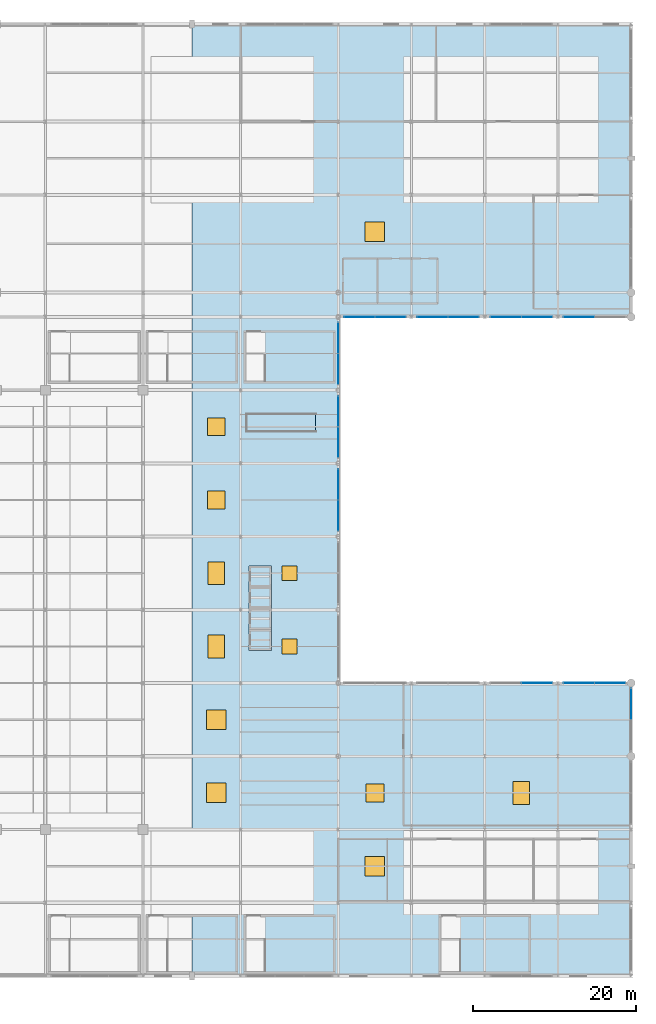
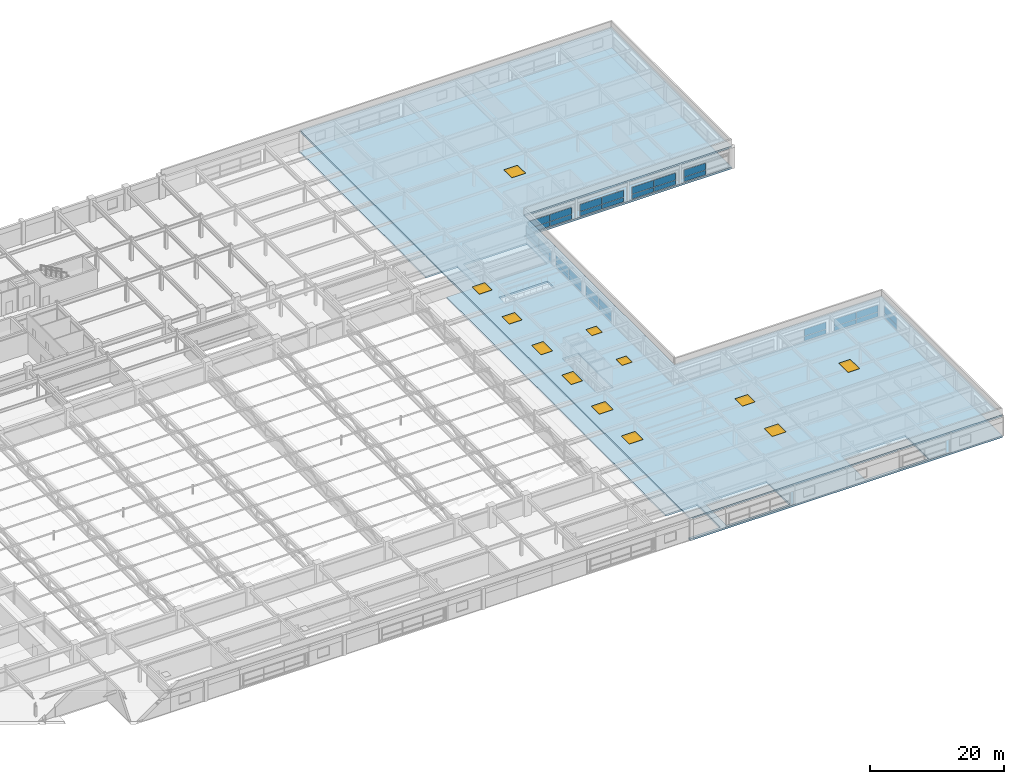
# One storey, part 87 of 108: 34 plates, 12 windows, 2 slabs, 12 openings, 10 elements without a shape of their own.
"""IFC4 building model written with IfcOpenShell, lengths in metres."""

from ifc_helpers import new_model, si_unit, direction, frame, origin, origin_2d, place, context, subcontext, project, spatial, polyline, rectangle, outline, extrude, material, layer, layer_set, type_object, element, fill, aggregate, save


model = new_model("IFC4")

# Units and contexts
model_context = context("Model", 3, precision=1e-05, world=origin(), true_north=direction((0.0, 1.0)))
body_context = subcontext(model_context, "Body", "Model", "MODEL_VIEW")
ifc_project = project(units=[si_unit("LENGTHUNIT", "METRE"), si_unit("AREAUNIT", "SQUARE_METRE"), si_unit("VOLUMEUNIT", "CUBIC_METRE"), si_unit("PLANEANGLEUNIT", "RADIAN"), si_unit("MASSUNIT", "GRAM", prefix="KILO")], contexts=[model_context])

# Site, building, storey
site_placement = place(None, origin())
site = spatial("IfcSite", under=ifc_project, at=site_placement, CompositionType="ELEMENT")
building_placement = place(site_placement, origin())
building = spatial("IfcBuilding", under=site, at=building_placement, Name="Kaldorvane Square Convention Centre", CompositionType="ELEMENT")
storey_placement = place(building_placement, frame((0.0, 0.0, 23.399993896484375)))
storey = spatial("IfcBuildingStorey", under=building, at=storey_placement, Name="L04", CompositionType="ELEMENT", Elevation=23.399993896484375)

# Curtain wall, plates
ifc_material_1 = material(Name="Anodized Aluminum and Low-E Insulated Glazing", Category="aluminium")
curtain_wall_type_1 = type_object("IfcCurtainWallType", Name="CW-UNI-P42-09", PredefinedType="USERDEFINED", material=ifc_material_1)
curtain_wall_1_placement = place(storey_placement, origin())
curtain_wall_1 = element("IfcCurtainWall", 1, at=curtain_wall_1_placement, inside=storey, type_object=curtain_wall_type_1, Name="Curtain Wall CW-06 (L04)", ObjectType="UNITISED GLAZING", PredefinedType="USERDEFINED")
ifc_layer_1 = layer(ifc_material_1, 0.029998779296875)
ifc_layer_set_1 = layer_set([ifc_layer_1], Name="Anodized Aluminum and Low-E Insulated Glazing")
plate_type_1 = type_object("IfcPlateType", Name="CW-PNL-05", PredefinedType="CURTAIN_PANEL", material=ifc_layer_set_1)
plate_1_placement = place(storey_placement, frame((174.0, 33.40875244140625, 0.2100067138671875), z_axis=(0.0, 0.0, 1.0), x_axis=(0.0, 1.0, 0.0)))
plate_1 = element("IfcPlate", 2, at=plate_1_placement, type_object=plate_type_1, Name="CW-06 panel 2.1", PredefinedType="CURTAIN_PANEL", context=body_context, shape_type="SweptSolid", body=[
    extrude(rectangle(XDim=3.75250244140625, YDim=0.029998779296875, at=origin_2d()), origin(), (0.0, 0.0, 1.0), 0.80999755859375),
])
plate_2_placement = place(storey_placement, frame((174.0, 33.40875244140625, 1.08001708984375), z_axis=(0.0, 0.0, 1.0), x_axis=(0.0, 1.0, 0.0)))
plate_2 = element("IfcPlate", 3, at=plate_2_placement, type_object=plate_type_1, Name="CW-06 panel 2.2", PredefinedType="CURTAIN_PANEL", context=body_context, shape_type="SweptSolid", body=[
    extrude(rectangle(XDim=3.75250244140625, YDim=0.029998779296875, at=origin_2d()), origin(), (0.0, 0.0, 1.0), 1.2700042724609375),
])
aggregate(curtain_wall_1, [plate_1, plate_2])

curtain_wall_type_2 = type_object("IfcCurtainWallType", Name="CW-PTS-FC-42", PredefinedType="USERDEFINED", material=ifc_material_1)
curtain_wall_2_placement = place(storey_placement, origin())
curtain_wall_2 = element("IfcCurtainWall", 4, at=curtain_wall_2_placement, inside=storey, type_object=curtain_wall_type_2, Name="Curtain Wall CW-09 (L04)", ObjectType="POINT SUPPORTED GLAZING", PredefinedType="USERDEFINED")
ifc_layer_2 = layer(ifc_material_1, 0.0399932861328125)
ifc_layer_set_2 = layer_set([ifc_layer_2], Name="Anodized Aluminum and Low-E Insulated Glazing")
plate_type_2 = type_object("IfcPlateType", Name="CW-PNL-07", PredefinedType="CURTAIN_PANEL", material=ifc_layer_set_2)
plate_3_placement = place(storey_placement, frame((162.40625, 36.0, 0.214996337890625), z_axis=(0.0, 0.0, 1.0), x_axis=(-1.0, 0.0, 0.0)))
plate_3 = element("IfcPlate", 5, at=plate_3_placement, type_object=plate_type_2, Name="CW-09 panel 1.1", PredefinedType="CURTAIN_PANEL", context=body_context, shape_type="SweptSolid", body=[
    extrude(rectangle(XDim=3.7375030517578125, YDim=0.0399932861328125, at=origin_2d()), origin(), (0.0, 0.0, 1.0), 0.8025054931640625),
])
plate_4_placement = place(storey_placement, frame((162.40625, 36.0, 1.08251953125), z_axis=(0.0, 0.0, 1.0), x_axis=(-1.0, 0.0, 0.0)))
plate_4 = element("IfcPlate", 6, at=plate_4_placement, type_object=plate_type_2, Name="CW-09 panel 1.2", PredefinedType="CURTAIN_PANEL", context=body_context, shape_type="SweptSolid", body=[
    extrude(rectangle(XDim=3.7375030517578125, YDim=0.0399932861328125, at=origin_2d()), origin(), (0.0, 0.0, 1.0), 1.2624969482421875),
])
aggregate(curtain_wall_2, [plate_3, plate_4])

curtain_wall_3_placement = place(storey_placement, origin())
curtain_wall_3 = element("IfcCurtainWall", 7, at=curtain_wall_3_placement, inside=storey, type_object=curtain_wall_type_2, Name="Curtain Wall CW-09 (L04)", ObjectType="POINT SUPPORTED GLAZING", PredefinedType="USERDEFINED")
plate_5_placement = place(storey_placement, frame((171.40625, 36.0, 0.214996337890625), z_axis=(0.0, 0.0, 1.0), x_axis=(-1.0, 0.0, 0.0)))
plate_5 = element("IfcPlate", 8, at=plate_5_placement, type_object=plate_type_2, Name="CW-09 panel 1.1", PredefinedType="CURTAIN_PANEL", context=body_context, shape_type="SweptSolid", body=[
    extrude(rectangle(XDim=3.7375030517578125, YDim=0.0399932861328125, at=origin_2d()), origin(), (0.0, 0.0, 1.0), 0.8025054931640625),
])
plate_6_placement = place(storey_placement, frame((171.40625, 36.0, 1.08251953125), z_axis=(0.0, 0.0, 1.0), x_axis=(-1.0, 0.0, 0.0)))
plate_6 = element("IfcPlate", 9, at=plate_6_placement, type_object=plate_type_2, Name="CW-09 panel 1.2", PredefinedType="CURTAIN_PANEL", context=body_context, shape_type="SweptSolid", body=[
    extrude(rectangle(XDim=3.7375030517578125, YDim=0.0399932861328125, at=origin_2d()), origin(), (0.0, 0.0, 1.0), 1.2624969482421875),
])
plate_7_placement = place(storey_placement, frame((167.59375, 36.0, 0.214996337890625), z_axis=(0.0, 0.0, 1.0), x_axis=(-1.0, 0.0, 0.0)))
plate_7 = element("IfcPlate", 10, at=plate_7_placement, type_object=plate_type_2, Name="CW-09 panel 2.1", PredefinedType="CURTAIN_PANEL", context=body_context, shape_type="SweptSolid", body=[
    extrude(rectangle(XDim=3.7375030517578125, YDim=0.0399932861328125, at=origin_2d()), origin(), (0.0, 0.0, 1.0), 0.8025054931640625),
])
plate_8_placement = place(storey_placement, frame((167.59375, 36.0, 1.08251953125), z_axis=(0.0, 0.0, 1.0), x_axis=(-1.0, 0.0, 0.0)))
plate_8 = element("IfcPlate", 11, at=plate_8_placement, type_object=plate_type_2, Name="CW-09 panel 2.2", PredefinedType="CURTAIN_PANEL", context=body_context, shape_type="SweptSolid", body=[
    extrude(rectangle(XDim=3.7375030517578125, YDim=0.0399932861328125, at=origin_2d()), origin(), (0.0, 0.0, 1.0), 1.2624969482421875),
])
aggregate(curtain_wall_3, [plate_5, plate_6, plate_7, plate_8])

curtain_wall_4_placement = place(storey_placement, origin())
curtain_wall_4 = element("IfcCurtainWall", 12, at=curtain_wall_4_placement, inside=storey, type_object=curtain_wall_type_2, Name="Curtain Wall CW-09 (L04)", ObjectType="POINT SUPPORTED GLAZING", PredefinedType="USERDEFINED")
plate_9_placement = place(storey_placement, frame((138.0, 56.59375, 0.214996337890625), z_axis=(0.0, 0.0, 1.0), x_axis=(0.0, 1.0, 0.0)))
plate_9 = element("IfcPlate", 13, at=plate_9_placement, type_object=plate_type_2, Name="CW-09 panel 1.1", PredefinedType="CURTAIN_PANEL", context=body_context, shape_type="SweptSolid", body=[
    extrude(rectangle(XDim=3.7375030517578125, YDim=0.0399932861328125, at=origin_2d()), origin(), (0.0, 0.0, 1.0), 0.8025054931640625),
])
plate_10_placement = place(storey_placement, frame((138.0, 56.59375, 1.08251953125), z_axis=(0.0, 0.0, 1.0), x_axis=(0.0, 1.0, 0.0)))
plate_10 = element("IfcPlate", 14, at=plate_10_placement, type_object=plate_type_2, Name="CW-09 panel 1.2", PredefinedType="CURTAIN_PANEL", context=body_context, shape_type="SweptSolid", body=[
    extrude(rectangle(XDim=3.7375030517578125, YDim=0.0399932861328125, at=origin_2d()), origin(), (0.0, 0.0, 1.0), 1.2624969482421875),
])
plate_11_placement = place(storey_placement, frame((138.0, 60.40625, 0.214996337890625), z_axis=(0.0, 0.0, 1.0), x_axis=(0.0, 1.0, 0.0)))
plate_11 = element("IfcPlate", 15, at=plate_11_placement, type_object=plate_type_2, Name="CW-09 panel 2.1", PredefinedType="CURTAIN_PANEL", context=body_context, shape_type="SweptSolid", body=[
    extrude(rectangle(XDim=3.7375030517578125, YDim=0.0399932861328125, at=origin_2d()), origin(), (0.0, 0.0, 1.0), 0.8025054931640625),
])
plate_12_placement = place(storey_placement, frame((138.0, 60.40625, 1.08251953125), z_axis=(0.0, 0.0, 1.0), x_axis=(0.0, 1.0, 0.0)))
plate_12 = element("IfcPlate", 16, at=plate_12_placement, type_object=plate_type_2, Name="CW-09 panel 2.2", PredefinedType="CURTAIN_PANEL", context=body_context, shape_type="SweptSolid", body=[
    extrude(rectangle(XDim=3.7375030517578125, YDim=0.0399932861328125, at=origin_2d()), origin(), (0.0, 0.0, 1.0), 1.2624969482421875),
])
aggregate(curtain_wall_4, [plate_9, plate_10, plate_11, plate_12])

curtain_wall_5_placement = place(storey_placement, origin())
curtain_wall_5 = element("IfcCurtainWall", 17, at=curtain_wall_5_placement, inside=storey, type_object=curtain_wall_type_2, Name="Curtain Wall CW-09 (L04)", ObjectType="POINT SUPPORTED GLAZING", PredefinedType="USERDEFINED")
plate_13_placement = place(storey_placement, frame((138.0, 65.59375, 0.214996337890625), z_axis=(0.0, 0.0, 1.0), x_axis=(0.0, 1.0, 0.0)))
plate_13 = element("IfcPlate", 18, at=plate_13_placement, type_object=plate_type_2, Name="CW-09 panel 1.1", PredefinedType="CURTAIN_PANEL", context=body_context, shape_type="SweptSolid", body=[
    extrude(rectangle(XDim=3.7375030517578125, YDim=0.0399932861328125, at=origin_2d()), origin(), (0.0, 0.0, 1.0), 0.8025054931640625),
])
plate_14_placement = place(storey_placement, frame((138.0, 65.59375, 1.08251953125), z_axis=(0.0, 0.0, 1.0), x_axis=(0.0, 1.0, 0.0)))
plate_14 = element("IfcPlate", 19, at=plate_14_placement, type_object=plate_type_2, Name="CW-09 panel 1.2", PredefinedType="CURTAIN_PANEL", context=body_context, shape_type="SweptSolid", body=[
    extrude(rectangle(XDim=3.7375030517578125, YDim=0.0399932861328125, at=origin_2d()), origin(), (0.0, 0.0, 1.0), 1.2624969482421875),
])
plate_15_placement = place(storey_placement, frame((138.0, 69.40625, 0.214996337890625), z_axis=(0.0, 0.0, 1.0), x_axis=(0.0, 1.0, 0.0)))
plate_15 = element("IfcPlate", 20, at=plate_15_placement, type_object=plate_type_2, Name="CW-09 panel 2.1", PredefinedType="CURTAIN_PANEL", context=body_context, shape_type="SweptSolid", body=[
    extrude(rectangle(XDim=3.7375030517578125, YDim=0.0399932861328125, at=origin_2d()), origin(), (0.0, 0.0, 1.0), 0.8025054931640625),
])
plate_16_placement = place(storey_placement, frame((138.0, 69.40625, 1.08251953125), z_axis=(0.0, 0.0, 1.0), x_axis=(0.0, 1.0, 0.0)))
plate_16 = element("IfcPlate", 21, at=plate_16_placement, type_object=plate_type_2, Name="CW-09 panel 2.2", PredefinedType="CURTAIN_PANEL", context=body_context, shape_type="SweptSolid", body=[
    extrude(rectangle(XDim=3.7375030517578125, YDim=0.0399932861328125, at=origin_2d()), origin(), (0.0, 0.0, 1.0), 1.2624969482421875),
])
aggregate(curtain_wall_5, [plate_13, plate_14, plate_15, plate_16])

curtain_wall_6_placement = place(storey_placement, origin())
curtain_wall_6 = element("IfcCurtainWall", 22, at=curtain_wall_6_placement, inside=storey, type_object=curtain_wall_type_2, Name="Curtain Wall CW-09 (L04)", ObjectType="POINT SUPPORTED GLAZING", PredefinedType="USERDEFINED")
plate_17_placement = place(storey_placement, frame((138.0, 74.59375, 0.214996337890625), z_axis=(0.0, 0.0, 1.0), x_axis=(0.0, 1.0, 0.0)))
plate_17 = element("IfcPlate", 23, at=plate_17_placement, type_object=plate_type_2, Name="CW-09 panel 1.1", PredefinedType="CURTAIN_PANEL", context=body_context, shape_type="SweptSolid", body=[
    extrude(rectangle(XDim=3.7375030517578125, YDim=0.0399932861328125, at=origin_2d()), origin(), (0.0, 0.0, 1.0), 0.8025054931640625),
])
plate_18_placement = place(storey_placement, frame((138.0, 74.59375, 1.08251953125), z_axis=(0.0, 0.0, 1.0), x_axis=(0.0, 1.0, 0.0)))
plate_18 = element("IfcPlate", 24, at=plate_18_placement, type_object=plate_type_2, Name="CW-09 panel 1.2", PredefinedType="CURTAIN_PANEL", context=body_context, shape_type="SweptSolid", body=[
    extrude(rectangle(XDim=3.7375030517578125, YDim=0.0399932861328125, at=origin_2d()), origin(), (0.0, 0.0, 1.0), 1.2624969482421875),
])
plate_19_placement = place(storey_placement, frame((138.0, 78.40625, 0.214996337890625), z_axis=(0.0, 0.0, 1.0), x_axis=(0.0, 1.0, 0.0)))
plate_19 = element("IfcPlate", 25, at=plate_19_placement, type_object=plate_type_2, Name="CW-09 panel 2.1", PredefinedType="CURTAIN_PANEL", context=body_context, shape_type="SweptSolid", body=[
    extrude(rectangle(XDim=3.7375030517578125, YDim=0.0399932861328125, at=origin_2d()), origin(), (0.0, 0.0, 1.0), 0.8025054931640625),
])
plate_20_placement = place(storey_placement, frame((138.0, 78.40625, 1.08251953125), z_axis=(0.0, 0.0, 1.0), x_axis=(0.0, 1.0, 0.0)))
plate_20 = element("IfcPlate", 26, at=plate_20_placement, type_object=plate_type_2, Name="CW-09 panel 2.2", PredefinedType="CURTAIN_PANEL", context=body_context, shape_type="SweptSolid", body=[
    extrude(rectangle(XDim=3.7375030517578125, YDim=0.0399932861328125, at=origin_2d()), origin(), (0.0, 0.0, 1.0), 1.2624969482421875),
])
aggregate(curtain_wall_6, [plate_17, plate_18, plate_19, plate_20])

curtain_wall_7_placement = place(storey_placement, origin())
curtain_wall_7 = element("IfcCurtainWall", 27, at=curtain_wall_7_placement, inside=storey, type_object=curtain_wall_type_2, Name="Curtain Wall CW-09 (L04)", ObjectType="POINT SUPPORTED GLAZING", PredefinedType="USERDEFINED")
plate_21_placement = place(storey_placement, frame((140.59375, 81.0, 0.214996337890625), z_axis=(0.0, 0.0, 1.0), x_axis=(1.0, 0.0, 0.0)))
plate_21 = element("IfcPlate", 28, at=plate_21_placement, type_object=plate_type_2, Name="CW-09 panel 1.1", PredefinedType="CURTAIN_PANEL", context=body_context, shape_type="SweptSolid", body=[
    extrude(rectangle(XDim=3.7375030517578125, YDim=0.0399932861328125, at=origin_2d()), origin(), (0.0, 0.0, 1.0), 0.8025054931640625),
])
plate_22_placement = place(storey_placement, frame((140.59375, 81.0, 1.08251953125), z_axis=(0.0, 0.0, 1.0), x_axis=(1.0, 0.0, 0.0)))
plate_22 = element("IfcPlate", 29, at=plate_22_placement, type_object=plate_type_2, Name="CW-09 panel 1.2", PredefinedType="CURTAIN_PANEL", context=body_context, shape_type="SweptSolid", body=[
    extrude(rectangle(XDim=3.7375030517578125, YDim=0.0399932861328125, at=origin_2d()), origin(), (0.0, 0.0, 1.0), 1.2624969482421875),
])
plate_23_placement = place(storey_placement, frame((144.40625, 81.0, 0.214996337890625), z_axis=(0.0, 0.0, 1.0), x_axis=(1.0, 0.0, 0.0)))
plate_23 = element("IfcPlate", 30, at=plate_23_placement, type_object=plate_type_2, Name="CW-09 panel 2.1", PredefinedType="CURTAIN_PANEL", context=body_context, shape_type="SweptSolid", body=[
    extrude(rectangle(XDim=3.7375030517578125, YDim=0.0399932861328125, at=origin_2d()), origin(), (0.0, 0.0, 1.0), 0.8025054931640625),
])
plate_24_placement = place(storey_placement, frame((144.40625, 81.0, 1.08251953125), z_axis=(0.0, 0.0, 1.0), x_axis=(1.0, 0.0, 0.0)))
plate_24 = element("IfcPlate", 31, at=plate_24_placement, type_object=plate_type_2, Name="CW-09 panel 2.2", PredefinedType="CURTAIN_PANEL", context=body_context, shape_type="SweptSolid", body=[
    extrude(rectangle(XDim=3.7375030517578125, YDim=0.0399932861328125, at=origin_2d()), origin(), (0.0, 0.0, 1.0), 1.2624969482421875),
])
aggregate(curtain_wall_7, [plate_21, plate_22, plate_23, plate_24])

curtain_wall_8_placement = place(storey_placement, origin())
curtain_wall_8 = element("IfcCurtainWall", 32, at=curtain_wall_8_placement, inside=storey, type_object=curtain_wall_type_2, Name="Curtain Wall CW-09 (L04)", ObjectType="POINT SUPPORTED GLAZING", PredefinedType="USERDEFINED")
plate_25_placement = place(storey_placement, frame((149.59375, 81.0, 0.214996337890625), z_axis=(0.0, 0.0, 1.0), x_axis=(1.0, 0.0, 0.0)))
plate_25 = element("IfcPlate", 33, at=plate_25_placement, type_object=plate_type_2, Name="CW-09 panel 1.1", PredefinedType="CURTAIN_PANEL", context=body_context, shape_type="SweptSolid", body=[
    extrude(rectangle(XDim=3.7375030517578125, YDim=0.0399932861328125, at=origin_2d()), origin(), (0.0, 0.0, 1.0), 0.8025054931640625),
])
plate_26_placement = place(storey_placement, frame((149.59375, 81.0, 1.08251953125), z_axis=(0.0, 0.0, 1.0), x_axis=(1.0, 0.0, 0.0)))
plate_26 = element("IfcPlate", 34, at=plate_26_placement, type_object=plate_type_2, Name="CW-09 panel 1.2", PredefinedType="CURTAIN_PANEL", context=body_context, shape_type="SweptSolid", body=[
    extrude(rectangle(XDim=3.7375030517578125, YDim=0.0399932861328125, at=origin_2d()), origin(), (0.0, 0.0, 1.0), 1.2624969482421875),
])
plate_27_placement = place(storey_placement, frame((153.40625, 81.0, 0.214996337890625), z_axis=(0.0, 0.0, 1.0), x_axis=(1.0, 0.0, 0.0)))
plate_27 = element("IfcPlate", 35, at=plate_27_placement, type_object=plate_type_2, Name="CW-09 panel 2.1", PredefinedType="CURTAIN_PANEL", context=body_context, shape_type="SweptSolid", body=[
    extrude(rectangle(XDim=3.7375030517578125, YDim=0.0399932861328125, at=origin_2d()), origin(), (0.0, 0.0, 1.0), 0.8025054931640625),
])
plate_28_placement = place(storey_placement, frame((153.40625, 81.0, 1.08251953125), z_axis=(0.0, 0.0, 1.0), x_axis=(1.0, 0.0, 0.0)))
plate_28 = element("IfcPlate", 36, at=plate_28_placement, type_object=plate_type_2, Name="CW-09 panel 2.2", PredefinedType="CURTAIN_PANEL", context=body_context, shape_type="SweptSolid", body=[
    extrude(rectangle(XDim=3.7375030517578125, YDim=0.0399932861328125, at=origin_2d()), origin(), (0.0, 0.0, 1.0), 1.2624969482421875),
])
aggregate(curtain_wall_8, [plate_25, plate_26, plate_27, plate_28])

curtain_wall_9_placement = place(storey_placement, origin())
curtain_wall_9 = element("IfcCurtainWall", 37, at=curtain_wall_9_placement, inside=storey, type_object=curtain_wall_type_2, Name="Curtain Wall CW-09 (L04)", ObjectType="POINT SUPPORTED GLAZING", PredefinedType="USERDEFINED")
plate_29_placement = place(storey_placement, frame((158.59375, 81.0, 0.214996337890625), z_axis=(0.0, 0.0, 1.0), x_axis=(1.0, 0.0, 0.0)))
plate_29 = element("IfcPlate", 38, at=plate_29_placement, type_object=plate_type_2, Name="CW-09 panel 1.1", PredefinedType="CURTAIN_PANEL", context=body_context, shape_type="SweptSolid", body=[
    extrude(rectangle(XDim=3.7375030517578125, YDim=0.0399932861328125, at=origin_2d()), origin(), (0.0, 0.0, 1.0), 0.8025054931640625),
])
plate_30_placement = place(storey_placement, frame((158.59375, 81.0, 1.08251953125), z_axis=(0.0, 0.0, 1.0), x_axis=(1.0, 0.0, 0.0)))
plate_30 = element("IfcPlate", 39, at=plate_30_placement, type_object=plate_type_2, Name="CW-09 panel 1.2", PredefinedType="CURTAIN_PANEL", context=body_context, shape_type="SweptSolid", body=[
    extrude(rectangle(XDim=3.7375030517578125, YDim=0.0399932861328125, at=origin_2d()), origin(), (0.0, 0.0, 1.0), 1.2624969482421875),
])
plate_31_placement = place(storey_placement, frame((162.40625, 81.0, 0.214996337890625), z_axis=(0.0, 0.0, 1.0), x_axis=(1.0, 0.0, 0.0)))
plate_31 = element("IfcPlate", 40, at=plate_31_placement, type_object=plate_type_2, Name="CW-09 panel 2.1", PredefinedType="CURTAIN_PANEL", context=body_context, shape_type="SweptSolid", body=[
    extrude(rectangle(XDim=3.7375030517578125, YDim=0.0399932861328125, at=origin_2d()), origin(), (0.0, 0.0, 1.0), 0.8025054931640625),
])
plate_32_placement = place(storey_placement, frame((162.40625, 81.0, 1.08251953125), z_axis=(0.0, 0.0, 1.0), x_axis=(1.0, 0.0, 0.0)))
plate_32 = element("IfcPlate", 41, at=plate_32_placement, type_object=plate_type_2, Name="CW-09 panel 2.2", PredefinedType="CURTAIN_PANEL", context=body_context, shape_type="SweptSolid", body=[
    extrude(rectangle(XDim=3.7375030517578125, YDim=0.0399932861328125, at=origin_2d()), origin(), (0.0, 0.0, 1.0), 1.2624969482421875),
])
aggregate(curtain_wall_9, [plate_29, plate_30, plate_31, plate_32])

curtain_wall_10_placement = place(storey_placement, origin())
curtain_wall_10 = element("IfcCurtainWall", 42, at=curtain_wall_10_placement, inside=storey, type_object=curtain_wall_type_2, Name="Curtain Wall CW-09 (L04)", ObjectType="POINT SUPPORTED GLAZING", PredefinedType="USERDEFINED")
plate_33_placement = place(storey_placement, frame((167.59375, 81.0, 0.214996337890625), z_axis=(0.0, 0.0, 1.0), x_axis=(1.0, 0.0, 0.0)))
plate_33 = element("IfcPlate", 43, at=plate_33_placement, type_object=plate_type_2, Name="CW-09 panel 1.1", PredefinedType="CURTAIN_PANEL", context=body_context, shape_type="SweptSolid", body=[
    extrude(rectangle(XDim=3.7375030517578125, YDim=0.0399932861328125, at=origin_2d()), origin(), (0.0, 0.0, 1.0), 0.8025054931640625),
])
plate_34_placement = place(storey_placement, frame((167.59375, 81.0, 1.08251953125), z_axis=(0.0, 0.0, 1.0), x_axis=(1.0, 0.0, 0.0)))
plate_34 = element("IfcPlate", 44, at=plate_34_placement, type_object=plate_type_2, Name="CW-09 panel 1.2", PredefinedType="CURTAIN_PANEL", context=body_context, shape_type="SweptSolid", body=[
    extrude(rectangle(XDim=3.7375030517578125, YDim=0.0399932861328125, at=origin_2d()), origin(), (0.0, 0.0, 1.0), 1.2624969482421875),
])
aggregate(curtain_wall_10, [plate_33, plate_34])

# Slab
ifc_material_2 = material(Name="Concrete f'c = 42 MPa (Normalweight)", Category="concrete")
ifc_layer_3 = layer(ifc_material_2, 0.3249969482421875)
ifc_layer_set_3 = layer_set([ifc_layer_3], Name="Concrete f'c = 42 MPa (Normalweight)")
slab_type_1 = type_object("IfcSlabType", Name="SL-POD-280", PredefinedType="FLOOR", material=ifc_layer_set_3)
slab_1_placement = place(storey_placement, frame((0.0, 0.0, -0.3199920654296875)))
element("IfcSlab", 45, at=slab_1_placement, inside=storey, type_object=slab_type_1, Name="Podium Composite Floor Slab L04-3", PredefinedType="FLOOR", context=body_context, shape_type="SweptSolid", body=[
    extrude(outline(polyline([(174.0, 117.0), (174.0, 81.0), (138.0, 81.0), (138.0, 36.0), (174.0, 36.0), (174.0, 0.0), (120.0, 0.0), (120.0, 0.42999267578125), (125.47999572753906, 0.42999267578125), (125.47999572753906, 7.3800048828125), (120.0, 7.3800048828125), (120.0, 72.97999572753906), (125.47999572753906, 72.97999572753906), (125.47999572753906, 79.17999267578125), (120.0, 79.17999267578125), (120.0, 117.0), (174.0, 117.0)]), holes=[polyline([(161.47999572753906, 0.42999267578125), (161.47999572753906, 7.3800048828125), (150.52000427246094, 7.3800048828125), (150.52000427246094, 0.42999267578125), (161.47999572753906, 0.42999267578125)]), polyline([(137.47999572753906, 0.42999267578125), (137.47999572753906, 7.3800048828125), (126.52000427246094, 7.3800048828125), (126.52000427246094, 0.42999267578125), (137.47999572753906, 0.42999267578125)]), polyline([(129.8000030517578, 45.19999694824219), (129.8000030517578, 47.80000305175781), (129.8000030517578, 50.399993896484375), (127.0, 50.399993896484375), (127.0, 47.80000305175781), (127.0, 45.19999694824219), (127.0, 42.600006103515625), (127.0, 40.0), (129.8000030517578, 40.0), (129.8000030517578, 42.600006103515625), (129.8000030517578, 45.19999694824219)]), polyline([(135.1999969482422, 67.0), (135.1999969482422, 69.0), (126.80000305175781, 69.0), (126.80000305175781, 67.0), (135.1999969482422, 67.0)]), polyline([(126.52000427246094, 72.97999572753906), (137.47999572753906, 72.97999572753906), (137.47999572753906, 79.17999267578125), (126.52000427246094, 79.17999267578125), (126.52000427246094, 72.97999572753906)])]), origin(), (0.0, 0.0, 1.0), 0.3199920654296875),
])

# Slab, openings, windows
ifc_layer_4 = layer(ifc_material_2, 0.32000732421875)
ifc_layer_set_4 = layer_set([ifc_layer_4], Name="Concrete f'c = 42 MPa (Normalweight)")
slab_type_2 = type_object("IfcSlabType", Name="SL-ROOF-320", PredefinedType="ROOF", material=ifc_layer_set_4)
slab_2_placement = place(storey_placement, frame((0.0, 0.0, 3.529998779296875)))
slab_2 = element("IfcSlab", 46, at=slab_2_placement, inside=storey, type_object=slab_type_2, Name="Convention Podium Roof Slab 3-1", PredefinedType="ROOF", context=body_context, shape_type="SweptSolid", body=[
    extrude(outline(polyline([(174.0, 81.0), (138.0, 81.0), (138.0, 36.0), (174.0, 36.0), (174.0, 0.0), (120.0, 0.0), (120.0, 117.0), (174.0, 117.0), (174.0, 81.0)])), origin(), (0.0, 0.0, 1.0), 0.32000732421875),
])
opening_1_placement = place(slab_2_placement, frame((123.0, 22.5, 0.0)))
opening_1 = element("IfcOpeningElement", 47, at=opening_1_placement, cuts=slab_2, Name="Opening SK-01", PredefinedType="OPENING", context=body_context, shape_type="SweptSolid", body=[
    extrude(rectangle(XDim=2.399993896484375, YDim=2.399993896484375, at=origin_2d()), origin(), (0.0, 0.0, 1.0), 0.32000732421875),
])
opening_2_placement = place(slab_2_placement, frame((123.0, 31.5, 0.0)))
opening_2 = element("IfcOpeningElement", 48, at=opening_2_placement, cuts=slab_2, Name="Opening SK-01", PredefinedType="OPENING", context=body_context, shape_type="SweptSolid", body=[
    extrude(rectangle(XDim=2.399993896484375, YDim=2.399993896484375, at=origin_2d()), origin(), (0.0, 0.0, 1.0), 0.32000732421875),
])
opening_3_placement = place(slab_2_placement, frame((123.0, 40.5, 0.0)))
opening_3 = element("IfcOpeningElement", 49, at=opening_3_placement, cuts=slab_2, Name="Opening SK-02", PredefinedType="OPENING", context=body_context, shape_type="SweptSolid", body=[
    extrude(rectangle(XDim=2.0, YDim=2.8000030517578125, at=origin_2d()), origin(), (0.0, 0.0, 1.0), 0.32000732421875),
])
opening_4_placement = place(slab_2_placement, frame((123.0, 49.5, 0.0)))
opening_4 = element("IfcOpeningElement", 50, at=opening_4_placement, cuts=slab_2, Name="Opening SK-02", PredefinedType="OPENING", context=body_context, shape_type="SweptSolid", body=[
    extrude(rectangle(XDim=2.0, YDim=2.8000030517578125, at=origin_2d()), origin(), (0.0, 0.0, 1.0), 0.32000732421875),
])
opening_5_placement = place(slab_2_placement, frame((123.0, 58.5, 0.0)))
opening_5 = element("IfcOpeningElement", 51, at=opening_5_placement, cuts=slab_2, Name="Opening SK-04", PredefinedType="OPENING", context=body_context, shape_type="SweptSolid", body=[
    extrude(rectangle(XDim=2.1999969482421875, YDim=2.1999969482421875, at=origin_2d()), origin(), (0.0, 0.0, 1.0), 0.32000732421875),
])
opening_6_placement = place(slab_2_placement, frame((123.0, 67.5, 0.0)))
opening_6 = element("IfcOpeningElement", 52, at=opening_6_placement, cuts=slab_2, Name="Opening SK-04", PredefinedType="OPENING", context=body_context, shape_type="SweptSolid", body=[
    extrude(rectangle(XDim=2.1999969482421875, YDim=2.1999969482421875, at=origin_2d()), origin(), (0.0, 0.0, 1.0), 0.32000732421875),
])
opening_7_placement = place(slab_2_placement, frame((132.0, 40.5, 0.0)))
opening_7 = element("IfcOpeningElement", 53, at=opening_7_placement, cuts=slab_2, Name="Opening SK-03", PredefinedType="OPENING", context=body_context, shape_type="SweptSolid", body=[
    extrude(rectangle(XDim=1.8000030517578125, YDim=1.8000030517578125, at=origin_2d()), origin(), (0.0, 0.0, 1.0), 0.32000732421875),
])
opening_8_placement = place(slab_2_placement, frame((132.0, 49.5, 0.0)))
opening_8 = element("IfcOpeningElement", 54, at=opening_8_placement, cuts=slab_2, Name="Opening SK-03", PredefinedType="OPENING", context=body_context, shape_type="SweptSolid", body=[
    extrude(rectangle(XDim=1.8000030517578125, YDim=1.8000030517578125, at=origin_2d()), origin(), (0.0, 0.0, 1.0), 0.32000732421875),
])
opening_9_placement = place(slab_2_placement, frame((142.5, 13.5, 0.0)))
opening_9 = element("IfcOpeningElement", 55, at=opening_9_placement, cuts=slab_2, Name="Opening SK-01", PredefinedType="OPENING", context=body_context, shape_type="SweptSolid", body=[
    extrude(rectangle(XDim=2.399993896484375, YDim=2.399993896484375, at=origin_2d()), origin(), (0.0, 0.0, 1.0), 0.32000732421875),
])
opening_10_placement = place(slab_2_placement, frame((142.5, 22.5, 0.0)))
opening_10 = element("IfcOpeningElement", 56, at=opening_10_placement, cuts=slab_2, Name="Opening SK-04", PredefinedType="OPENING", context=body_context, shape_type="SweptSolid", body=[
    extrude(rectangle(XDim=2.1999969482421875, YDim=2.1999969482421875, at=origin_2d()), origin(), (0.0, 0.0, 1.0), 0.32000732421875),
])
opening_11_placement = place(slab_2_placement, frame((142.5, 91.5, 0.0)))
opening_11 = element("IfcOpeningElement", 57, at=opening_11_placement, cuts=slab_2, Name="Opening SK-01", PredefinedType="OPENING", context=body_context, shape_type="SweptSolid", body=[
    extrude(rectangle(XDim=2.399993896484375, YDim=2.399993896484375, at=origin_2d()), origin(), (0.0, 0.0, 1.0), 0.32000732421875),
])
opening_12_placement = place(slab_2_placement, frame((160.5, 22.5, 0.0)))
opening_12 = element("IfcOpeningElement", 58, at=opening_12_placement, cuts=slab_2, Name="Opening SK-02", PredefinedType="OPENING", context=body_context, shape_type="SweptSolid", body=[
    extrude(rectangle(XDim=2.0, YDim=2.8000030517578125, at=origin_2d()), origin(), (0.0, 0.0, 1.0), 0.32000732421875),
])
window_type_1 = type_object("IfcWindowType", Name="WN-SKY-1800X1800", PartitioningType="SINGLE_PANEL", PredefinedType="SKYLIGHT", material=ifc_material_1)
window_1_placement = place(opening_7_placement, frame((0.0, 0.0, 0.2700042724609375)))
window_1 = element("IfcWindow", 59, at=window_1_placement, inside=storey, type_object=window_type_1, Name="Concourse Coffered Skylight SK-07", OverallHeight=1.8000030517578125, OverallWidth=1.8000030517578125, PartitioningType="SINGLE_PANEL", PredefinedType="SKYLIGHT", context=body_context, shape_type="SweptSolid", body=[
    extrude(rectangle(XDim=1.8000030517578125, YDim=1.8000030517578125, at=origin_2d()), origin(), (0.0, 0.0, 1.0), 0.0500030517578125),
])
fill(opening_7, window_1)
window_2_placement = place(opening_8_placement, frame((0.0, 0.0, 0.2700042724609375)))
window_2 = element("IfcWindow", 60, at=window_2_placement, inside=storey, type_object=window_type_1, Name="Concourse Coffered Skylight SK-08", OverallHeight=1.8000030517578125, OverallWidth=1.8000030517578125, PartitioningType="SINGLE_PANEL", PredefinedType="SKYLIGHT", context=body_context, shape_type="SweptSolid", body=[
    extrude(rectangle(XDim=1.8000030517578125, YDim=1.8000030517578125, at=origin_2d()), origin(), (0.0, 0.0, 1.0), 0.0500030517578125),
])
fill(opening_8, window_2)
window_type_2 = type_object("IfcWindowType", Name="WN-SKY-2000X2800", PartitioningType="SINGLE_PANEL", PredefinedType="SKYLIGHT", material=ifc_material_1)
window_3_placement = place(opening_3_placement, frame((0.0, 0.0, 0.2700042724609375)))
window_3 = element("IfcWindow", 61, at=window_3_placement, inside=storey, type_object=window_type_2, Name="Concourse Coffered Skylight SK-03", OverallHeight=2.8000030517578125, OverallWidth=2.0, PartitioningType="SINGLE_PANEL", PredefinedType="SKYLIGHT", context=body_context, shape_type="SweptSolid", body=[
    extrude(rectangle(XDim=2.0, YDim=2.8000030517578125, at=origin_2d()), origin(), (0.0, 0.0, 1.0), 0.0500030517578125),
])
fill(opening_3, window_3)
window_4_placement = place(opening_4_placement, frame((0.0, 0.0, 0.2700042724609375)))
window_4 = element("IfcWindow", 62, at=window_4_placement, inside=storey, type_object=window_type_2, Name="Concourse Coffered Skylight SK-04", OverallHeight=2.8000030517578125, OverallWidth=2.0, PartitioningType="SINGLE_PANEL", PredefinedType="SKYLIGHT", context=body_context, shape_type="SweptSolid", body=[
    extrude(rectangle(XDim=2.0, YDim=2.8000030517578125, at=origin_2d()), origin(), (0.0, 0.0, 1.0), 0.0500030517578125),
])
fill(opening_4, window_4)
window_5_placement = place(opening_12_placement, frame((0.0, 0.0, 0.2700042724609375)))
window_5 = element("IfcWindow", 63, at=window_5_placement, inside=storey, type_object=window_type_2, Name="Concourse Coffered Skylight SK-12", OverallHeight=2.8000030517578125, OverallWidth=2.0, PartitioningType="SINGLE_PANEL", PredefinedType="SKYLIGHT", context=body_context, shape_type="SweptSolid", body=[
    extrude(rectangle(XDim=2.0, YDim=2.8000030517578125, at=origin_2d()), origin(), (0.0, 0.0, 1.0), 0.0500030517578125),
])
fill(opening_12, window_5)
window_type_3 = type_object("IfcWindowType", Name="WN-SKY-2200X2200", PartitioningType="SINGLE_PANEL", PredefinedType="SKYLIGHT", material=ifc_material_1)
window_6_placement = place(opening_5_placement, frame((0.0, 0.0, 0.2700042724609375)))
window_6 = element("IfcWindow", 64, at=window_6_placement, inside=storey, type_object=window_type_3, Name="Concourse Coffered Skylight SK-05", OverallHeight=2.1999969482421875, OverallWidth=2.1999969482421875, PartitioningType="SINGLE_PANEL", PredefinedType="SKYLIGHT", context=body_context, shape_type="SweptSolid", body=[
    extrude(rectangle(XDim=2.1999969482421875, YDim=2.1999969482421875, at=origin_2d()), origin(), (0.0, 0.0, 1.0), 0.0500030517578125),
])
fill(opening_5, window_6)
window_7_placement = place(opening_6_placement, frame((0.0, 0.0, 0.2700042724609375)))
window_7 = element("IfcWindow", 65, at=window_7_placement, inside=storey, type_object=window_type_3, Name="Concourse Coffered Skylight SK-06", OverallHeight=2.1999969482421875, OverallWidth=2.1999969482421875, PartitioningType="SINGLE_PANEL", PredefinedType="SKYLIGHT", context=body_context, shape_type="SweptSolid", body=[
    extrude(rectangle(XDim=2.1999969482421875, YDim=2.1999969482421875, at=origin_2d()), origin(), (0.0, 0.0, 1.0), 0.0500030517578125),
])
fill(opening_6, window_7)
window_8_placement = place(opening_10_placement, frame((0.0, 0.0, 0.2700042724609375)))
window_8 = element("IfcWindow", 66, at=window_8_placement, inside=storey, type_object=window_type_3, Name="Concourse Coffered Skylight SK-10", OverallHeight=2.1999969482421875, OverallWidth=2.1999969482421875, PartitioningType="SINGLE_PANEL", PredefinedType="SKYLIGHT", context=body_context, shape_type="SweptSolid", body=[
    extrude(rectangle(XDim=2.1999969482421875, YDim=2.1999969482421875, at=origin_2d()), origin(), (0.0, 0.0, 1.0), 0.0500030517578125),
])
fill(opening_10, window_8)
window_type_4 = type_object("IfcWindowType", Name="WN-SKY-2400X2400", PartitioningType="SINGLE_PANEL", PredefinedType="SKYLIGHT", material=ifc_material_1)
window_9_placement = place(opening_1_placement, frame((0.0, 0.0, 0.2700042724609375)))
window_9 = element("IfcWindow", 67, at=window_9_placement, inside=storey, type_object=window_type_4, Name="Concourse Coffered Skylight SK-01", OverallHeight=2.399993896484375, OverallWidth=2.399993896484375, PartitioningType="SINGLE_PANEL", PredefinedType="SKYLIGHT", context=body_context, shape_type="SweptSolid", body=[
    extrude(rectangle(XDim=2.399993896484375, YDim=2.399993896484375, at=origin_2d()), origin(), (0.0, 0.0, 1.0), 0.0500030517578125),
])
fill(opening_1, window_9)
window_10_placement = place(opening_2_placement, frame((0.0, 0.0, 0.2700042724609375)))
window_10 = element("IfcWindow", 68, at=window_10_placement, inside=storey, type_object=window_type_4, Name="Concourse Coffered Skylight SK-02", OverallHeight=2.399993896484375, OverallWidth=2.399993896484375, PartitioningType="SINGLE_PANEL", PredefinedType="SKYLIGHT", context=body_context, shape_type="SweptSolid", body=[
    extrude(rectangle(XDim=2.399993896484375, YDim=2.399993896484375, at=origin_2d()), origin(), (0.0, 0.0, 1.0), 0.0500030517578125),
])
fill(opening_2, window_10)
window_11_placement = place(opening_9_placement, frame((0.0, 0.0, 0.2700042724609375)))
window_11 = element("IfcWindow", 69, at=window_11_placement, inside=storey, type_object=window_type_4, Name="Concourse Coffered Skylight SK-09", OverallHeight=2.399993896484375, OverallWidth=2.399993896484375, PartitioningType="SINGLE_PANEL", PredefinedType="SKYLIGHT", context=body_context, shape_type="SweptSolid", body=[
    extrude(rectangle(XDim=2.399993896484375, YDim=2.399993896484375, at=origin_2d()), origin(), (0.0, 0.0, 1.0), 0.0500030517578125),
])
fill(opening_9, window_11)
window_12_placement = place(opening_11_placement, frame((0.0, 0.0, 0.2700042724609375)))
window_12 = element("IfcWindow", 70, at=window_12_placement, inside=storey, type_object=window_type_4, Name="Concourse Coffered Skylight SK-11", OverallHeight=2.399993896484375, OverallWidth=2.399993896484375, PartitioningType="SINGLE_PANEL", PredefinedType="SKYLIGHT", context=body_context, shape_type="SweptSolid", body=[
    extrude(rectangle(XDim=2.399993896484375, YDim=2.399993896484375, at=origin_2d()), origin(), (0.0, 0.0, 1.0), 0.0500030517578125),
])
fill(opening_11, window_12)

save(model, "model.ifc")
